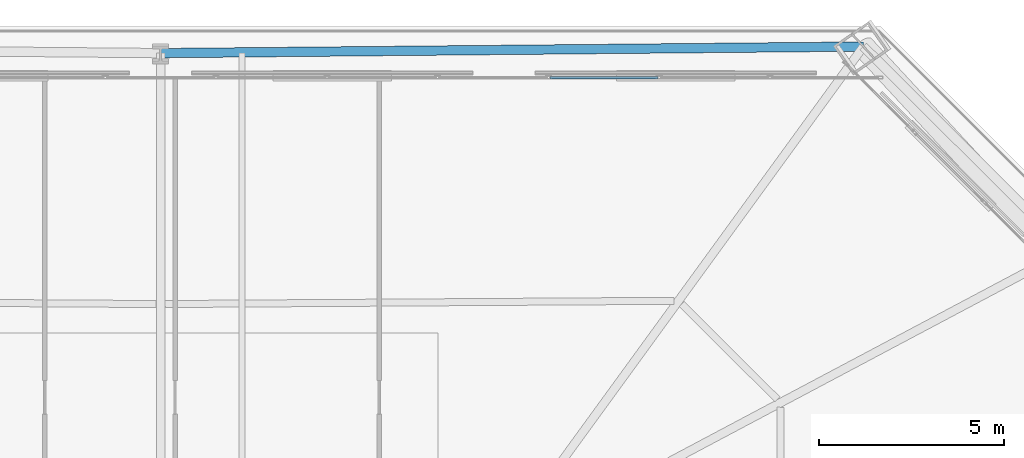
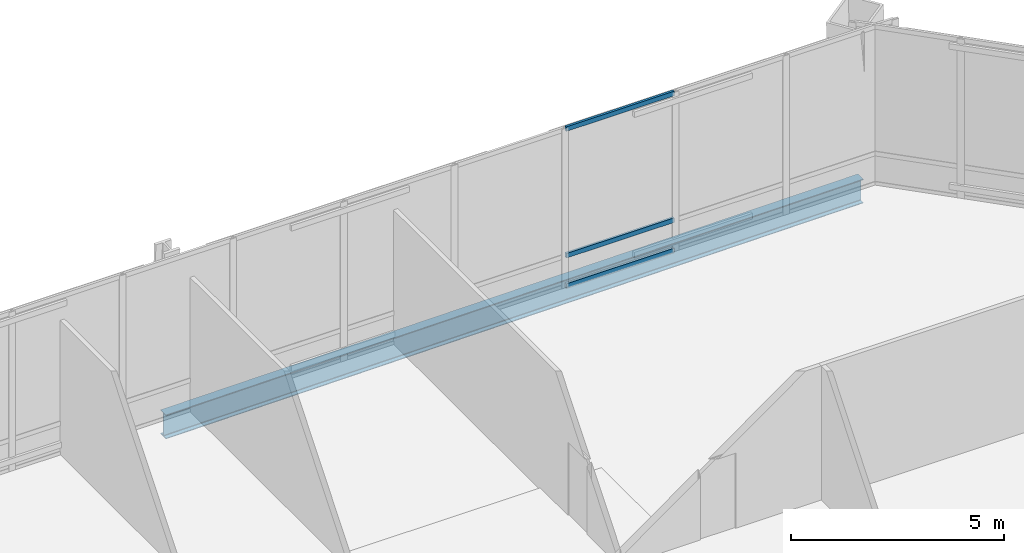
# One storey, part 38 of 48: 3 members, 1 beam, 1 element without a shape of its own.
"""IFC4 building model written with IfcOpenShell, lengths in metres."""

from ifc_helpers import new_model, si_unit, direction, frame, origin, origin_2d, place, context, subcontext, project, spatial, hollow_rectangle, i_section, extrude, material, layer, layer_set, material_profile, profile_set, type_object, element, aggregate, save


model = new_model("IFC4")

# Units and contexts
model_context = context("Model", 3, precision=1e-05, world=origin(), true_north=direction((0.0, 1.0)))
body_context = subcontext(model_context, "Body", "Model", "MODEL_VIEW")
ifc_project = project(units=[si_unit("LENGTHUNIT", "METRE"), si_unit("AREAUNIT", "SQUARE_METRE"), si_unit("VOLUMEUNIT", "CUBIC_METRE"), si_unit("PLANEANGLEUNIT", "RADIAN"), si_unit("MASSUNIT", "GRAM", prefix="KILO")], contexts=[model_context])

# Site, building, storey
site_placement = place(None, origin())
site = spatial("IfcSite", under=ifc_project, at=site_placement, CompositionType="ELEMENT")
building_placement = place(site_placement, origin())
building = spatial("IfcBuilding", under=site, at=building_placement, Name="Caelvoria Tower", CompositionType="ELEMENT")
storey_placement = place(building_placement, frame((0.0, 0.0, 90.39990234375)))
storey = spatial("IfcBuildingStorey", under=building, at=storey_placement, Name="L23", CompositionType="ELEMENT", Elevation=90.39990234375)

# Curtain wall, members
ifc_material_1 = material(Name="Anodised Bronze Aluminium and Low-E Glass", Category="aluminium")
ifc_layer = layer(ifc_material_1, 0.2099609375, Name="Anodised Bronze Aluminium and Low-E Glass")
ifc_layer_set = layer_set([ifc_layer], Name="CW System 3 Sky Lobby Double-Height Acoustic Facade - Anodised Bronze Aluminium and Low-E Glass")
curtain_wall_type = type_object("IfcCurtainWallType", Name="CW System 3 Sky Lobby Double-Height Acoustic Facade", PredefinedType="NOTDEFINED", material=ifc_layer_set)
curtain_wall_placement = place(storey_placement, origin())
curtain_wall = element("IfcCurtainWall", 1, at=curtain_wall_placement, inside=storey, type_object=curtain_wall_type, Name="CW-03 Curtain Wall L23-E4", PredefinedType="NOTDEFINED")
ifc_material_2 = material(Name="Anodised Bronze Architectural Aluminium", Category="aluminium")
ifc_material_profile_1 = material_profile(ifc_material_2, hollow_rectangle(XDim=0.06494140625, YDim=0.1298828125, WallThickness=0.00341796875, at=origin_2d()), Name="Anodised Bronze Architectural Aluminium")
ifc_profile_set_1 = profile_set([ifc_material_profile_1], Name="CW_TRAN_65X130 - Anodised Bronze Architectural Aluminium")
member_type = type_object("IfcMemberType", Name="Curtain Wall Transom 65x130 Bronze Aluminium", PredefinedType="USERDEFINED", material=ifc_profile_set_1)
member_1_placement = place(storey_placement, frame((59.44189453125, 52.9033203125, 0.03271484375), z_axis=(-1.0, 0.0, 0.0), x_axis=(0.0, -1.0, 0.0)))
member_1 = element("IfcMember", 2, at=member_1_placement, type_object=member_type, Name="CW-03 transom 3.1", ObjectType="TRANSOM", PredefinedType="USERDEFINED", context=body_context, shape_type="SweptSolid", body=[
    extrude(hollow_rectangle(XDim=0.06494140625, YDim=0.1298828125, WallThickness=0.00341796875, at=origin_2d()), origin(), (0.0, 0.0, 1.0), 2.9248046875),
])
member_2_placement = place(storey_placement, frame((59.44189453125, 52.9033203125, 0.900146484375), z_axis=(-1.0, 0.0, 0.0), x_axis=(0.0, -1.0, 0.0)))
member_2 = element("IfcMember", 3, at=member_2_placement, type_object=member_type, Name="CW-03 transom 3.2", ObjectType="TRANSOM", PredefinedType="USERDEFINED", context=body_context, shape_type="SweptSolid", body=[
    extrude(hollow_rectangle(XDim=0.06494140625, YDim=0.1298828125, WallThickness=0.00341796875, at=origin_2d()), origin(), (0.0, 0.0, 1.0), 2.9248046875),
])
member_3_placement = place(storey_placement, frame((59.44189453125, 52.9033203125, 4.527587890625), z_axis=(-1.0, 0.0, 0.0), x_axis=(0.0, -1.0, 0.0)))
member_3 = element("IfcMember", 4, at=member_3_placement, type_object=member_type, Name="CW-03 transom 3.3", ObjectType="TRANSOM", PredefinedType="USERDEFINED", context=body_context, shape_type="SweptSolid", body=[
    extrude(hollow_rectangle(XDim=0.06494140625, YDim=0.1298828125, WallThickness=0.00341796875, at=origin_2d()), origin(), (0.0, 0.0, 1.0), 2.9248046875),
])
aggregate(curtain_wall, [member_1, member_2, member_3])

# Beam
ifc_material_3 = material(Name="Structural Steel ASTM A992 Gr.50", Category="steel")
ifc_material_profile_2 = material_profile(ifc_material_3, i_section(OverallWidth=0.25390625, OverallDepth=0.68798828125, WebThickness=0.01318359375, FlangeThickness=0.02099609375, FilletRadius=0.01904296875, at=origin_2d()), Name="Structural Steel ASTM A992 Gr.50")
ifc_profile_set_2 = profile_set([ifc_material_profile_2], Name="W690X152 - Structural Steel ASTM A992 Gr.50")
beam_type = type_object("IfcBeamType", Name="Perimeter Spandrel Girder W690X152", PredefinedType="BEAM", material=ifc_profile_set_2)
beam_placement = place(storey_placement, frame((64.992919921875, 53.7412109375, -0.663818359375), z_axis=(-0.999956097112, -0.00937037078, 0.0), x_axis=(0.00937037078, -0.999956097112, 0.0)))
element("IfcBeam", 5, at=beam_placement, inside=storey, type_object=beam_type, Name="Perimeter Spandrel Girder L23-06", PredefinedType="BEAM", context=body_context, shape_type="SweptSolid", body=[
    extrude(i_section(OverallWidth=0.25390625, OverallDepth=0.68798828125, WebThickness=0.01318359375, FlangeThickness=0.02099609375, FilletRadius=0.01904296875, at=origin_2d()), origin(), (0.0, 0.0, 1.0), 18.99365234375),
])

save(model, "model.ifc")
